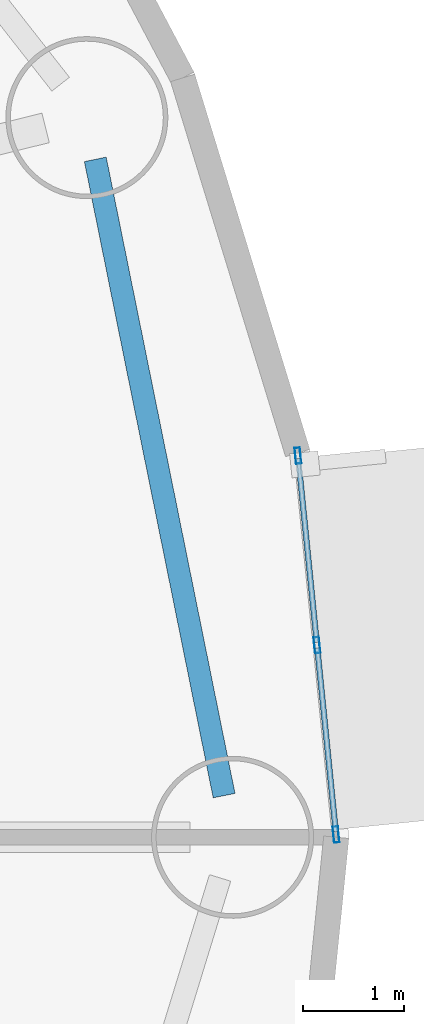
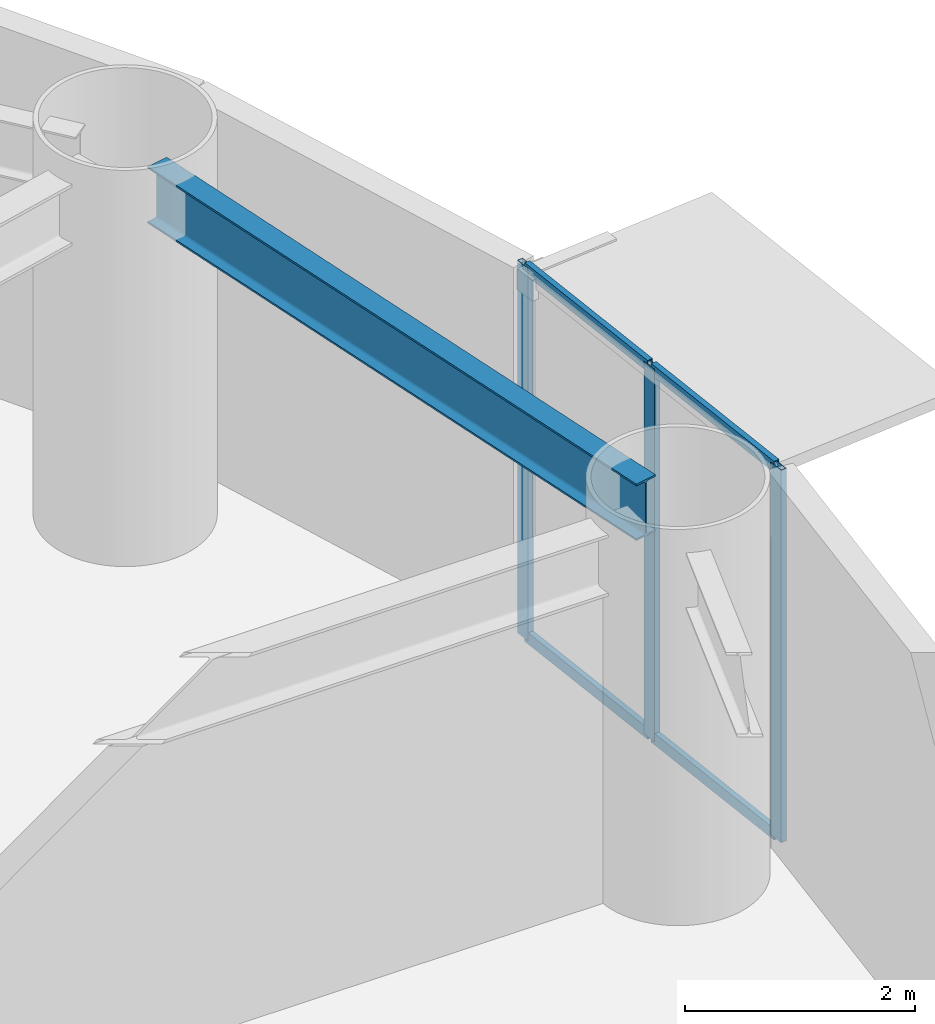
# One storey, part 9 of 35: 7 members, 1 beam, 1 element without a shape of its own.
"""IFC4 building model written with IfcOpenShell, lengths in metres."""

from ifc_helpers import new_model, si_unit, direction, frame, origin, origin_2d, place, context, subcontext, project, spatial, hollow_rectangle, i_section, extrude, source, transform, mapped, material, layer, layer_set, material_profile, profile_set, type_object, element, aggregate, save


model = new_model("IFC4")

# Units and contexts
model_context = context("Model", 3, precision=1e-05, world=origin(), true_north=direction((0.0, 1.0)))
body_context = subcontext(model_context, "Body", "Model", "MODEL_VIEW")
ifc_project = project(units=[si_unit("LENGTHUNIT", "METRE"), si_unit("AREAUNIT", "SQUARE_METRE"), si_unit("VOLUMEUNIT", "CUBIC_METRE"), si_unit("PLANEANGLEUNIT", "RADIAN"), si_unit("MASSUNIT", "GRAM", prefix="KILO")], contexts=[model_context])

# Site, building, storey
site_placement = place(None, origin())
site = spatial("IfcSite", under=ifc_project, at=site_placement, CompositionType="ELEMENT")
building_placement = place(site_placement, origin())
building = spatial("IfcBuilding", under=site, at=building_placement, Name="Linh Dai School and Residence Tower", CompositionType="ELEMENT")
storey_placement = place(building_placement, frame((0.0, 0.0, 49.199951171875)))
storey = spatial("IfcBuildingStorey", under=building, at=storey_placement, Name="L11", CompositionType="ELEMENT", Elevation=49.199951171875)

# Beam
ifc_material_1 = material(Name="Structural Steel S355JR", Category="steel")
ifc_material_profile_1 = material_profile(ifc_material_1, i_section(OverallWidth=0.219970703125, OverallDepth=0.60009765625, WebThickness=0.011962890625, FlangeThickness=0.01904296875, FilletRadius=0.02392578125, at=origin_2d()), Name="IPE 600")
ifc_profile_set_1 = profile_set([ifc_material_profile_1], Name="Structural Steel S355JR")
beam_type = type_object("IfcBeamType", Name="BM-RB60", PredefinedType="BEAM", material=ifc_profile_set_1)
beam_placement = place(storey_placement, frame((65.966552734375, 27.41162109375, 3.650146484375), z_axis=(-0.198429171022, 0.980115230005, 0.0), x_axis=(-0.980115230005, -0.198429171022, 0.0)))
element("IfcBeam", 1, at=beam_placement, inside=storey, type_object=beam_type, Name="L11 Perimeter Elliptical Ring Beam 01", PredefinedType="BEAM", context=body_context, shape_type="SweptSolid", body=[
    extrude(i_section(OverallWidth=0.219970703125, OverallDepth=0.60009765625, WebThickness=0.011962890625, FlangeThickness=0.01904296875, FilletRadius=0.02392578125, at=origin_2d()), origin(), (0.0, 0.0, 1.0), 6.41259765625),
])

# Curtain wall, members
ifc_material_2 = material(Name="Aluminium Anodised Curtain Wall", Category="aluminium")
ifc_layer = layer(ifc_material_2, 0.159912109375)
ifc_layer_set = layer_set([ifc_layer], Name="Aluminium Anodised Curtain Wall")
curtain_wall_type = type_object("IfcCurtainWallType", Name="CW-SYS-3", PredefinedType="USERDEFINED", material=ifc_layer_set)
curtain_wall_placement = place(storey_placement, origin())
curtain_wall = element("IfcCurtainWall", 2, at=curtain_wall_placement, inside=storey, type_object=curtain_wall_type, Name="L11 CW3 Curtain Wall 01", ObjectType="RIBBON CURTAIN WALL", PredefinedType="USERDEFINED")
ifc_material_3 = material(Name="Aluminium Alloy 6063-T6", Category="aluminium")
ifc_material_profile_2 = material_profile(ifc_material_3, hollow_rectangle(XDim=0.054931640625, YDim=0.1201171875, WallThickness=0.00390625, at=origin_2d()), Name="RHS 120x55x4")
ifc_profile_set_2 = profile_set([ifc_material_profile_2], Name="Aluminium Alloy 6063-T6")
member_type_1 = type_object("IfcMemberType", Name="CW-SYS-3-TRN", PredefinedType="USERDEFINED", material=ifc_profile_set_2)
shared_shape_1 = source(origin(), body_context, "Body", "SweptSolid", [
    extrude(hollow_rectangle(XDim=0.054931640625, YDim=0.1201171875, WallThickness=0.00390625, at=origin_2d()), origin(), (0.0, 0.0, 1.0), 1.825439453125),
])
member_1_placement = place(storey_placement, frame((66.698974609375, 30.7421875, 0.027587890625), z_axis=(0.099900947353, -0.994997387292, 0.0), x_axis=(0.994997387292, 0.099900947353, 0.0)))
member_1 = element("IfcMember", 3, at=member_1_placement, type_object=member_type_1, Name="CW3 transom 1.1", ObjectType="TRANSOM", PredefinedType="USERDEFINED", context=body_context, shape_type="MappedRepresentation", body=[
    mapped(shared_shape_1, transform((0.0, 0.0, 0.0), x_axis=(1.0, 0.0, 0.0), y_axis=(0.0, 1.0, 0.0), z_axis=(0.0, 0.0, 1.0), scale=1.0)),
])
member_2_placement = place(storey_placement, frame((66.698974609375, 30.7421875, 3.922607421875), z_axis=(0.099900947353, -0.994997387292, 0.0), x_axis=(0.994997387292, 0.099900947353, 0.0)))
member_2 = element("IfcMember", 4, at=member_2_placement, type_object=member_type_1, Name="CW3 transom 1.2", ObjectType="TRANSOM", PredefinedType="USERDEFINED", context=body_context, shape_type="MappedRepresentation", body=[
    mapped(shared_shape_1, transform((0.0, 0.0, 0.0), x_axis=(1.0, 0.0, 0.0), y_axis=(0.0, 1.0, 0.0), z_axis=(0.0, 0.0, 1.0), scale=1.0)),
])
shared_shape_2 = source(origin(), body_context, "Body", "SweptSolid", [
    extrude(hollow_rectangle(XDim=0.054931640625, YDim=0.1201171875, WallThickness=0.00390625, at=origin_2d()), origin(), (0.0, 0.0, 1.0), 1.82568359375),
])
member_3_placement = place(storey_placement, frame((66.886962890625, 28.87109375, 0.027587890625), z_axis=(0.100033346193, -0.994984085124, 0.0), x_axis=(0.994984085124, 0.100033346193, 0.0)))
member_3 = element("IfcMember", 5, at=member_3_placement, type_object=member_type_1, Name="CW3 transom 2.1", ObjectType="TRANSOM", PredefinedType="USERDEFINED", context=body_context, shape_type="MappedRepresentation", body=[
    mapped(shared_shape_2, transform((0.0, 0.0, 0.0), x_axis=(1.0, 0.0, 0.0), y_axis=(0.0, 1.0, 0.0), z_axis=(0.0, 0.0, 1.0), scale=1.0)),
])
member_4_placement = place(storey_placement, frame((66.886962890625, 28.87109375, 3.922607421875), z_axis=(0.100033346193, -0.994984085124, 0.0), x_axis=(0.994984085124, 0.100033346193, 0.0)))
member_4 = element("IfcMember", 6, at=member_4_placement, type_object=member_type_1, Name="CW3 transom 2.2", ObjectType="TRANSOM", PredefinedType="USERDEFINED", context=body_context, shape_type="MappedRepresentation", body=[
    mapped(shared_shape_2, transform((0.0, 0.0, 0.0), x_axis=(1.0, 0.0, 0.0), y_axis=(0.0, 1.0, 0.0), z_axis=(0.0, 0.0, 1.0), scale=1.0)),
])
ifc_material_profile_3 = material_profile(ifc_material_3, hollow_rectangle(XDim=0.054931640625, YDim=0.159912109375, WallThickness=0.00390625, at=origin_2d()), Name="RHS 160x55x4")
ifc_profile_set_3 = profile_set([ifc_material_profile_3], Name="Aluminium Alloy 6063-T6")
member_type_2 = type_object("IfcMemberType", Name="CW-SYS-3-MUL", PredefinedType="MULLION", material=ifc_profile_set_3)
shared_shape_3 = source(origin(), body_context, "Body", "SweptSolid", [
    extrude(hollow_rectangle(XDim=0.054931640625, YDim=0.159912109375, WallThickness=0.00390625, at=origin_2d()), origin(), (0.0, 0.0, 1.0), 3.949951171875),
])
member_5_placement = place(storey_placement, frame((66.696044921875, 30.76953125, 0.0), z_axis=(0.0, 0.0, 1.0), x_axis=(0.994986493533, 0.100009387998, 0.0)))
member_5 = element("IfcMember", 7, at=member_5_placement, type_object=member_type_2, Name="CW3 mullion 1", PredefinedType="MULLION", context=body_context, shape_type="MappedRepresentation", body=[
    mapped(shared_shape_3, transform((0.0, 0.0, 0.0), x_axis=(1.0, 0.0, 0.0), y_axis=(0.0, 1.0, 0.0), z_axis=(0.0, 0.0, 1.0), scale=1.0)),
])
member_6_placement = place(storey_placement, frame((66.88427734375, 28.8984375, 0.0), z_axis=(0.0, 0.0, 1.0), x_axis=(0.994986493533, 0.100009387998, 0.0)))
member_6 = element("IfcMember", 8, at=member_6_placement, type_object=member_type_2, Name="CW3 mullion 2", PredefinedType="MULLION", context=body_context, shape_type="MappedRepresentation", body=[
    mapped(shared_shape_3, transform((0.0, 0.0, 0.0), x_axis=(1.0, 0.0, 0.0), y_axis=(0.0, 1.0, 0.0), z_axis=(0.0, 0.0, 1.0), scale=1.0)),
])
member_7_placement = place(storey_placement, frame((67.072265625, 27.02734375, 0.0), z_axis=(0.0, 0.0, 1.0), x_axis=(0.994986493533, 0.100009387998, 0.0)))
member_7 = element("IfcMember", 9, at=member_7_placement, type_object=member_type_2, Name="CW3 mullion 3", PredefinedType="MULLION", context=body_context, shape_type="MappedRepresentation", body=[
    mapped(shared_shape_3, transform((0.0, 0.0, 0.0), x_axis=(1.0, 0.0, 0.0), y_axis=(0.0, 1.0, 0.0), z_axis=(0.0, 0.0, 1.0), scale=1.0)),
])
aggregate(curtain_wall, [member_5, member_6, member_7, member_1, member_2, member_3, member_4])

save(model, "model.ifc")
